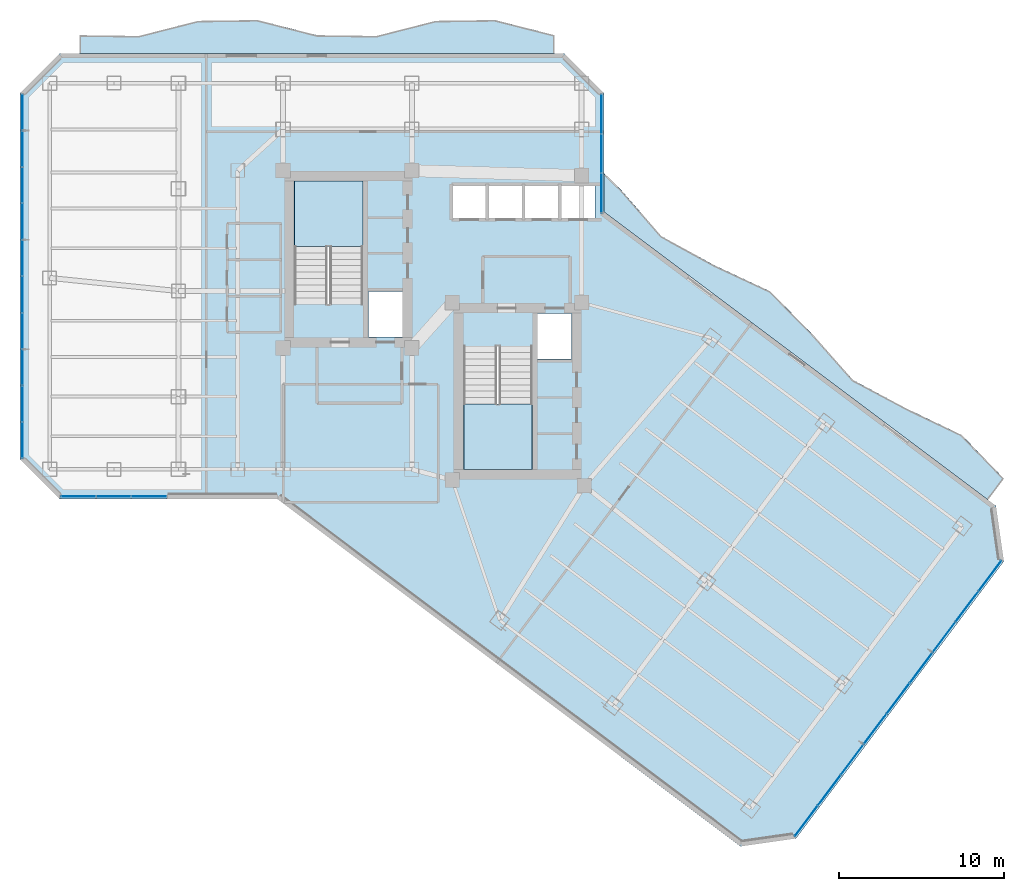
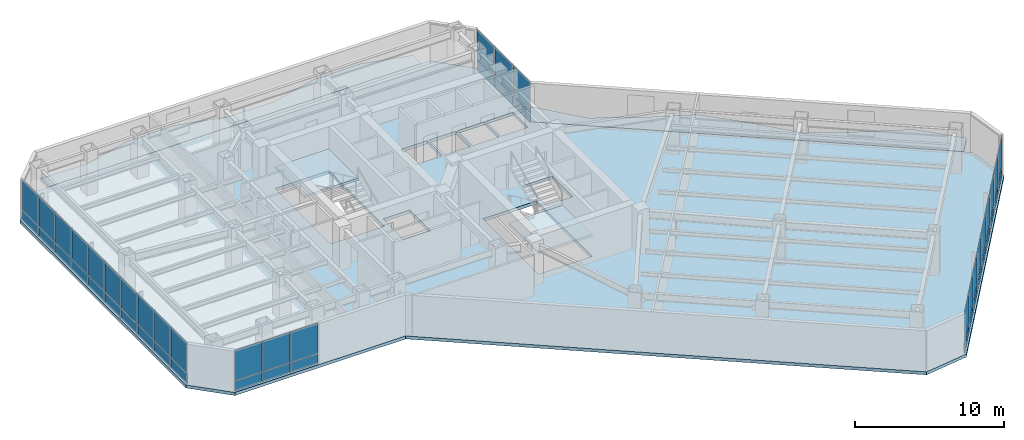
# One storey, part 20 of 29: 50 plates, 5 slabs, 6 elements without a shape of their own.
"""IFC4 building model written with IfcOpenShell, lengths in metres."""

import ifcopenshell
import ifcopenshell.guid

model = None  # the IFC model being written
_history = None  # IfcOwnerHistory: only IFC2X3 demands one
_inside = {}  # id of a spatial element -> (the spatial element, [elements in it])
_under = {}  # id of a project, library or spatial element -> (it, [spatial elements below it])
_declared = {}  # id of a project -> (the project, [libraries it declares])
_typed = {}  # id of a type object -> (the type object, [elements of that type])
_made_of = {}  # id of a material, layer set ... -> (it, [elements and type objects made of it])


def new_model(schema):
    """Start an empty IFC model of exactly this schema.

    Asked for "IFC4X3", IfcOpenShell would pick the latest addendum, in which some entities
    have other attributes; the version numbers below select the first issue.
    IFC2X3 requires an IfcOwnerHistory on every rooted entity: one is made here for all.
    """
    global model, _history
    if schema == "IFC4X3":
        model = ifcopenshell.file(schema_version=(4, 3, 0, 0))
    else:
        model = ifcopenshell.file(schema=schema)
    _inside.clear()
    _under.clear()
    _declared.clear()
    _typed.clear()
    _made_of.clear()
    _history = None
    if model.schema == "IFC2X3":
        org = make("IfcOrganization", Name="unknown")
        user = make(
            "IfcPersonAndOrganization",
            ThePerson=make("IfcPerson", FamilyName="unknown"),
            TheOrganization=org,
        )
        app = make(
            "IfcApplication",
            ApplicationDeveloper=org,
            Version="unknown",
            ApplicationFullName="unknown",
            ApplicationIdentifier="unknown",
        )
        _history = make(
            "IfcOwnerHistory",
            OwningUser=user,
            OwningApplication=app,
            ChangeAction="ADDED",
            CreationDate=0,
        )
    return model


def make(cls, **values):
    """One entity of the class cls with the attributes given. An attribute that is None is left unset."""
    return model.create_entity(
        cls, **{name: value for name, value in values.items() if value is not None}
    )


def rooted(cls, **values):
    """An entity with a GlobalId (a new one), such as an element, a storey or a relation."""
    return make(cls, GlobalId=ifcopenshell.guid.new(), OwnerHistory=_history, **values)


def si_unit(unit_type, name, prefix=None):
    """IfcSIUnit, for example si_unit("LENGTHUNIT", "METRE", prefix="MILLI")."""
    return make("IfcSIUnit", UnitType=unit_type, Prefix=prefix, Name=name)


def assignment(units):
    """IfcUnitAssignment: the units of a project."""
    return None if units is None else make("IfcUnitAssignment", Units=units)


def point(xyz):
    """IfcCartesianPoint."""
    return None if xyz is None else make("IfcCartesianPoint", Coordinates=xyz)


def direction(xyz):
    """IfcDirection."""
    return None if xyz is None else make("IfcDirection", DirectionRatios=xyz)


def frame(location, z_axis=None, x_axis=None):
    """IfcAxis2Placement3D, a coordinate frame: its origin and axes. An axis left out is left unset."""
    return make(
        "IfcAxis2Placement3D",
        Location=point(location),
        Axis=direction(z_axis),
        RefDirection=direction(x_axis),
    )


def frame_2d(location, x_axis=None):
    """IfcAxis2Placement2D, a coordinate frame in the plane: its origin and x axis."""
    return make(
        "IfcAxis2Placement2D", Location=point(location), RefDirection=direction(x_axis)
    )


def origin():
    """The frame at (0, 0, 0) with its axes left unset."""
    return frame((0.0, 0.0, 0.0))


def origin_2d():
    """The frame at (0, 0) in the plane with its x axis left unset."""
    return frame_2d((0.0, 0.0))


def place(relative_to, where):
    """IfcLocalPlacement: puts the frame where relative to a parent placement (None: the world)."""
    return make(
        "IfcLocalPlacement", PlacementRelTo=relative_to, RelativePlacement=where
    )


def context(
    kind, dimensions, precision=None, world=None, true_north=None, identifier=None
):
    """IfcGeometricRepresentationContext, for example the 3D "Model" context."""
    return make(
        "IfcGeometricRepresentationContext",
        ContextIdentifier=identifier,
        ContextType=kind,
        CoordinateSpaceDimension=dimensions,
        Precision=precision,
        WorldCoordinateSystem=world,
        TrueNorth=true_north,
    )


def subcontext(parent, identifier, kind, view, scale=None):
    """IfcGeometricRepresentationSubContext, for example "Body" below "Model"."""
    return make(
        "IfcGeometricRepresentationSubContext",
        ContextIdentifier=identifier,
        ContextType=kind,
        ParentContext=parent,
        TargetScale=scale,
        TargetView=view,
    )


def project(units=None, contexts=None):
    """IfcProject with its units and contexts."""
    return rooted(
        "IfcProject",
        Name="project",
        RepresentationContexts=contexts,
        UnitsInContext=assignment(units),
    )


def spatial(cls, under=None, at=None, **own):
    """A site, building, storey or space (cls), placed at a placement, below another one or the project."""
    s = rooted(cls, ObjectPlacement=at, **own)
    if under is not None:
        _under.setdefault(under.id(), (under, []))[1].append(s)
    return s


def polyline(points):
    """IfcPolyline through the points."""
    return make("IfcPolyline", Points=[point(p) for p in points])


def profile(cls, at=None, kind="AREA", **sizes):
    """A parametric profile (cls). Its sizes go by their IFC names, for example OverallWidth=200.0."""
    return make(cls, ProfileType=kind, Position=at, **sizes)


def rectangle(**sizes):
    """IfcRectangleProfileDef."""
    return profile("IfcRectangleProfileDef", **sizes)


def outline(outer, holes=None, kind="AREA"):
    """IfcArbitraryClosedProfileDef: a profile drawn as a closed curve; with holes, ...WithVoids."""
    if holes is None:
        return make("IfcArbitraryClosedProfileDef", ProfileType=kind, OuterCurve=outer)
    return make(
        "IfcArbitraryProfileDefWithVoids",
        ProfileType=kind,
        OuterCurve=outer,
        InnerCurves=holes,
    )


def extrude(swept, where, along, depth):
    """IfcExtrudedAreaSolid: the profile swept, set in the frame where, extruded along a direction by depth."""
    return make(
        "IfcExtrudedAreaSolid",
        SweptArea=swept,
        Position=where,
        ExtrudedDirection=direction(along),
        Depth=depth,
    )


def shape(context_of_items, identifier, shape_type, items):
    """IfcShapeRepresentation: the items that make up one representation, for example the "Body"."""
    return make(
        "IfcShapeRepresentation",
        ContextOfItems=context_of_items,
        RepresentationIdentifier=identifier,
        RepresentationType=shape_type,
        Items=items,
    )


def material(Name=None, Category=None):
    """IfcMaterial."""
    return make("IfcMaterial", Name=Name, Category=Category)


def layer(
    of_material, thickness, ventilated=None, Name=None, Category=None, Priority=None
):
    """IfcMaterialLayer: one layer of a wall or slab, of a material (None: an air gap)."""
    return make(
        "IfcMaterialLayer",
        Material=of_material,
        LayerThickness=thickness,
        IsVentilated=ventilated,
        Name=Name,
        Category=Category,
        Priority=Priority,
    )


def layer_set(layers, Name=None):
    """IfcMaterialLayerSet."""
    return make("IfcMaterialLayerSet", MaterialLayers=layers, LayerSetName=Name)


def made_of(thing, what):
    """Note that an element or type object is made of a material, layer set ...; save() writes the relation."""
    if what is not None:
        _made_of.setdefault(what.id(), (what, []))[1].append(thing)
    return thing


def type_object(cls, material=None, **own):
    """A type object (cls), such as IfcWallType, which elements share."""
    return made_of(rooted(cls, **own), material)


def element(
    cls,
    number,
    at=None,
    inside=None,
    cuts=None,
    type_object=None,
    material=None,
    context=None,
    identifier="Body",
    shape_type=None,
    held_by="IfcProductDefinitionShape",
    body=None,
    shapes=None,
    **own,
):
    """One element of the class cls, such as IfcWall. Its Tag is "e" and its number.

    at: its placement. inside: the storey or other place that contains it. cuts: it is an
    opening in that element (IfcRelVoidsElement). A single representation is given by context,
    identifier, shape_type and body (its items); several are given by shapes. held_by: the class
    of the entity that holds the representations. save() writes the other relations.
    """
    e = rooted(cls, Tag="e%d" % number, ObjectPlacement=at, **own)
    if body is not None:
        shapes = [shape(context, identifier, shape_type, body)]
    if shapes is not None:
        e.Representation = make(held_by, Representations=shapes)
    if inside is not None:
        _inside.setdefault(inside.id(), (inside, []))[1].append(e)
    if cuts is not None:
        rooted(
            "IfcRelVoidsElement", RelatingBuildingElement=cuts, RelatedOpeningElement=e
        )
    if type_object is not None:
        _typed.setdefault(type_object.id(), (type_object, []))[1].append(e)
    return made_of(e, material)


def aggregate(whole, parts):
    """IfcRelAggregates: a whole, such as a stair, and the parts it consists of."""
    return rooted("IfcRelAggregates", RelatingObject=whole, RelatedObjects=parts)


def save(model, path):
    """Write the relations noted so far, then the file.

    IfcRelAggregates (storeys below a building ...), IfcRelContainedInSpatialStructure (elements
    in a storey), IfcRelDefinesByType, IfcRelAssociatesMaterial and IfcRelDeclares: one each for
    every whole, place, type object, material and project.
    """
    for whole, parts in _under.values():
        aggregate(whole, parts)
    for where, things in _inside.values():
        rooted(
            "IfcRelContainedInSpatialStructure",
            RelatedElements=things,
            RelatingStructure=where,
        )
    for kind, things in _typed.values():
        rooted("IfcRelDefinesByType", RelatedObjects=things, RelatingType=kind)
    for what, things in _made_of.values():
        rooted("IfcRelAssociatesMaterial", RelatedObjects=things, RelatingMaterial=what)
    for by, libraries in _declared.values():
        rooted("IfcRelDeclares", RelatingContext=by, RelatedDefinitions=libraries)
    model.write(path)


model = new_model("IFC4")

# Units and contexts
model_context = context("Model", 3, precision=1e-05, world=origin(), true_north=direction((0.0, 1.0)))
body_context = subcontext(model_context, "Body", "Model", "MODEL_VIEW")
ifc_project = project(units=[si_unit("LENGTHUNIT", "METRE"), si_unit("AREAUNIT", "SQUARE_METRE"), si_unit("VOLUMEUNIT", "CUBIC_METRE"), si_unit("PLANEANGLEUNIT", "RADIAN"), si_unit("MASSUNIT", "GRAM", prefix="KILO")], contexts=[model_context])

# Site, building, storey
site_placement = place(None, origin())
site = spatial("IfcSite", under=ifc_project, at=site_placement, CompositionType="ELEMENT")
building_placement = place(site_placement, origin())
building = spatial("IfcBuilding", under=site, at=building_placement, Name="Hatsunagi Terrace Concourse", CompositionType="ELEMENT")
storey_placement = place(building_placement, frame((0.0, 0.0, 104.85009765625)))
storey = spatial("IfcBuildingStorey", under=building, at=storey_placement, Name="L27", CompositionType="ELEMENT", Elevation=104.85009765625)

# Curtain wall, plates
ifc_material_1 = material(Name="Anodised Aluminium Alloy 6063-T5", Category="aluminium")
ifc_layer_1 = layer(ifc_material_1, 0.199951171875)
ifc_layer_set_1 = layer_set([ifc_layer_1], Name="OfficeZone1_CW03")
curtain_wall_type = type_object("IfcCurtainWallType", Name="OfficeZone1_CW03", PredefinedType="NOTDEFINED", material=ifc_layer_set_1)
curtain_wall_1_placement = place(storey_placement, origin())
curtain_wall_1 = element("IfcCurtainWall", 1, at=curtain_wall_1_placement, inside=storey, type_object=curtain_wall_type, Name="Unitised Curtain Wall CW-03 CW-L27-03", PredefinedType="NOTDEFINED")
ifc_material_2 = material(Name="Warm Terracotta Ceramic Spandrel Panel", Category="masonry")
ifc_layer_2 = layer(ifc_material_2, 0.031982421875)
ifc_layer_set_2 = layer_set([ifc_layer_2], Name="CurtainWallSpandrelPanel_32")
plate_type_1 = type_object("IfcPlateType", Name="CurtainWallSpandrelPanel_32", PredefinedType="SHEET", material=ifc_layer_set_2)
plate_1_placement = place(storey_placement, frame((68.39697265625, 18.72998046875, 0.02978515625), z_axis=(0.0, 0.0, 1.0), x_axis=(-0.599969314634, -0.800023013105, 0.0)))
plate_1 = element("IfcPlate", 2, at=plate_1_placement, type_object=plate_type_1, Name="Terracotta Spandrel Panel SPN-01", PredefinedType="SHEET", context=body_context, shape_type="SweptSolid", body=[
    extrude(rectangle(XDim=2.264892578125, YDim=0.031982421875, at=origin_2d()), origin(), (0.0, 0.0, 1.0), 0.7900390625),
])
plate_2_placement = place(storey_placement, frame((67.0048828125, 16.873046875, 0.02978515625), z_axis=(0.0, 0.0, 1.0), x_axis=(-0.599969314634, -0.800023013105, 0.0)))
plate_2 = element("IfcPlate", 3, at=plate_2_placement, type_object=plate_type_1, Name="Terracotta Spandrel Panel SPN-01", PredefinedType="SHEET", context=body_context, shape_type="SweptSolid", body=[
    extrude(rectangle(XDim=2.264892578125, YDim=0.031982421875, at=origin_2d()), origin(), (0.0, 0.0, 1.0), 0.7900390625),
])
plate_3_placement = place(storey_placement, frame((65.612060546875, 15.01708984375, 0.02978515625), z_axis=(0.0, 0.0, 1.0), x_axis=(-0.599969314634, -0.800023013105, 0.0)))
plate_3 = element("IfcPlate", 4, at=plate_3_placement, type_object=plate_type_1, Name="Terracotta Spandrel Panel SPN-01", PredefinedType="SHEET", context=body_context, shape_type="SweptSolid", body=[
    extrude(rectangle(XDim=2.264892578125, YDim=0.031982421875, at=origin_2d()), origin(), (0.0, 0.0, 1.0), 0.7900390625),
])
plate_4_placement = place(storey_placement, frame((64.219970703125, 13.159912109375, 0.02978515625), z_axis=(0.0, 0.0, 1.0), x_axis=(-0.599969314634, -0.800023013105, 0.0)))
plate_4 = element("IfcPlate", 5, at=plate_4_placement, type_object=plate_type_1, Name="Terracotta Spandrel Panel SPN-01", PredefinedType="SHEET", context=body_context, shape_type="SweptSolid", body=[
    extrude(rectangle(XDim=2.264892578125, YDim=0.031982421875, at=origin_2d()), origin(), (0.0, 0.0, 1.0), 0.7900390625),
])
plate_5_placement = place(storey_placement, frame((62.827880859375, 11.303955078125, 0.02978515625), z_axis=(0.0, 0.0, 1.0), x_axis=(-0.599969314634, -0.800023013105, 0.0)))
plate_5 = element("IfcPlate", 6, at=plate_5_placement, type_object=plate_type_1, Name="Terracotta Spandrel Panel SPN-01", PredefinedType="SHEET", context=body_context, shape_type="SweptSolid", body=[
    extrude(rectangle(XDim=2.264892578125, YDim=0.031982421875, at=origin_2d()), origin(), (0.0, 0.0, 1.0), 0.7900390625),
])
plate_6_placement = place(storey_placement, frame((61.43603515625, 9.447998046875, 0.02978515625), z_axis=(0.0, 0.0, 1.0), x_axis=(-0.599969314634, -0.800023013105, 0.0)))
plate_6 = element("IfcPlate", 7, at=plate_6_placement, type_object=plate_type_1, Name="Terracotta Spandrel Panel SPN-01", PredefinedType="SHEET", context=body_context, shape_type="SweptSolid", body=[
    extrude(rectangle(XDim=2.264892578125, YDim=0.031982421875, at=origin_2d()), origin(), (0.0, 0.0, 1.0), 0.7900390625),
])
plate_7_placement = place(storey_placement, frame((60.0439453125, 7.591064453125, 0.02978515625), z_axis=(0.0, 0.0, 1.0), x_axis=(-0.599969314634, -0.800023013105, 0.0)))
plate_7 = element("IfcPlate", 8, at=plate_7_placement, type_object=plate_type_1, Name="Terracotta Spandrel Panel SPN-01", PredefinedType="SHEET", context=body_context, shape_type="SweptSolid", body=[
    extrude(rectangle(XDim=2.264892578125, YDim=0.031982421875, at=origin_2d()), origin(), (0.0, 0.0, 1.0), 0.7900390625),
])
plate_8_placement = place(storey_placement, frame((58.65087890625, 5.735107421875, 0.02978515625), z_axis=(0.0, 0.0, 1.0), x_axis=(-0.599969314634, -0.800023013105, 0.0)))
plate_8 = element("IfcPlate", 9, at=plate_8_placement, type_object=plate_type_1, Name="Terracotta Spandrel Panel SPN-01", PredefinedType="SHEET", context=body_context, shape_type="SweptSolid", body=[
    extrude(rectangle(XDim=2.264892578125, YDim=0.031982421875, at=origin_2d()), origin(), (0.0, 0.0, 1.0), 0.7900390625),
])
plate_9_placement = place(storey_placement, frame((57.259033203125, 3.8779296875, 0.02978515625), z_axis=(0.0, 0.0, 1.0), x_axis=(-0.599969314634, -0.800023013105, 0.0)))
plate_9 = element("IfcPlate", 10, at=plate_9_placement, type_object=plate_type_1, Name="Terracotta Spandrel Panel SPN-01", PredefinedType="SHEET", context=body_context, shape_type="SweptSolid", body=[
    extrude(rectangle(XDim=2.264892578125, YDim=0.031982421875, at=origin_2d()), origin(), (0.0, 0.0, 1.0), 0.7900390625),
])

curtain_wall_2_placement = place(storey_placement, origin())
curtain_wall_2 = element("IfcCurtainWall", 11, at=curtain_wall_2_placement, inside=storey, type_object=curtain_wall_type, Name="Unitised Curtain Wall CW-03 CW-L27-07", PredefinedType="NOTDEFINED")
plate_10_placement = place(storey_placement, frame((17.426025390625, 23.5400390625, 0.02978515625), z_axis=(0.0, 0.0, 1.0), x_axis=(-1.0, 0.0, 0.0)))
plate_10 = element("IfcPlate", 12, at=plate_10_placement, type_object=plate_type_1, Name="Terracotta Spandrel Panel SPN-01", PredefinedType="SHEET", context=body_context, shape_type="SweptSolid", body=[
    extrude(rectangle(XDim=2.092041015625, YDim=0.031982421875, at=origin_2d()), origin(), (0.0, 0.0, 1.0), 0.7900390625),
])
plate_11_placement = place(storey_placement, frame((15.279052734375, 23.5400390625, 0.02978515625), z_axis=(0.0, 0.0, 1.0), x_axis=(-1.0, 0.0, 0.0)))
plate_11 = element("IfcPlate", 13, at=plate_11_placement, type_object=plate_type_1, Name="Terracotta Spandrel Panel SPN-01", PredefinedType="SHEET", context=body_context, shape_type="SweptSolid", body=[
    extrude(rectangle(XDim=2.092041015625, YDim=0.031982421875, at=origin_2d()), origin(), (0.0, 0.0, 1.0), 0.7900390625),
])
plate_12_placement = place(storey_placement, frame((13.132080078125, 23.5400390625, 0.02978515625), z_axis=(0.0, 0.0, 1.0), x_axis=(-1.0, 0.0, 0.0)))
plate_12 = element("IfcPlate", 14, at=plate_12_placement, type_object=plate_type_1, Name="Terracotta Spandrel Panel SPN-01", PredefinedType="SHEET", context=body_context, shape_type="SweptSolid", body=[
    extrude(rectangle(XDim=2.092041015625, YDim=0.031982421875, at=origin_2d()), origin(), (0.0, 0.0, 1.0), 0.7900390625),
])

curtain_wall_3_placement = place(storey_placement, origin())
curtain_wall_3 = element("IfcCurtainWall", 15, at=curtain_wall_3_placement, inside=storey, type_object=curtain_wall_type, Name="Unitised Curtain Wall CW-03 CW-L27-09", PredefinedType="NOTDEFINED")
plate_13_placement = place(storey_placement, frame((9.739990234375, 26.9619140625, 0.02978515625), z_axis=(0.0, 0.0, 1.0), x_axis=(0.0, 1.0, 0.0)))
plate_13 = element("IfcPlate", 16, at=plate_13_placement, type_object=plate_type_1, Name="Terracotta Spandrel Panel SPN-01", PredefinedType="SHEET", context=body_context, shape_type="SweptSolid", body=[
    extrude(rectangle(XDim=2.153076171875, YDim=0.031982421875, at=origin_2d()), origin(), (0.0, 0.0, 1.0), 0.7900390625),
])
plate_14_placement = place(storey_placement, frame((9.739990234375, 29.1708984375, 0.02978515625), z_axis=(0.0, 0.0, 1.0), x_axis=(0.0, 1.0, 0.0)))
plate_14 = element("IfcPlate", 17, at=plate_14_placement, type_object=plate_type_1, Name="Terracotta Spandrel Panel SPN-01", PredefinedType="SHEET", context=body_context, shape_type="SweptSolid", body=[
    extrude(rectangle(XDim=2.153076171875, YDim=0.031982421875, at=origin_2d()), origin(), (0.0, 0.0, 1.0), 0.7900390625),
])
plate_15_placement = place(storey_placement, frame((9.739990234375, 31.37890625, 0.02978515625), z_axis=(0.0, 0.0, 1.0), x_axis=(0.0, 1.0, 0.0)))
plate_15 = element("IfcPlate", 18, at=plate_15_placement, type_object=plate_type_1, Name="Terracotta Spandrel Panel SPN-01", PredefinedType="SHEET", context=body_context, shape_type="SweptSolid", body=[
    extrude(rectangle(XDim=2.153076171875, YDim=0.031982421875, at=origin_2d()), origin(), (0.0, 0.0, 1.0), 0.7900390625),
])
plate_16_placement = place(storey_placement, frame((9.739990234375, 33.5869140625, 0.02978515625), z_axis=(0.0, 0.0, 1.0), x_axis=(0.0, 1.0, 0.0)))
plate_16 = element("IfcPlate", 19, at=plate_16_placement, type_object=plate_type_1, Name="Terracotta Spandrel Panel SPN-01", PredefinedType="SHEET", context=body_context, shape_type="SweptSolid", body=[
    extrude(rectangle(XDim=2.153076171875, YDim=0.031982421875, at=origin_2d()), origin(), (0.0, 0.0, 1.0), 0.7900390625),
])
plate_17_placement = place(storey_placement, frame((9.739990234375, 35.7958984375, 0.02978515625), z_axis=(0.0, 0.0, 1.0), x_axis=(0.0, 1.0, 0.0)))
plate_17 = element("IfcPlate", 20, at=plate_17_placement, type_object=plate_type_1, Name="Terracotta Spandrel Panel SPN-01", PredefinedType="SHEET", context=body_context, shape_type="SweptSolid", body=[
    extrude(rectangle(XDim=2.153076171875, YDim=0.031982421875, at=origin_2d()), origin(), (0.0, 0.0, 1.0), 0.7900390625),
])
plate_18_placement = place(storey_placement, frame((9.739990234375, 38.00390625, 0.02978515625), z_axis=(0.0, 0.0, 1.0), x_axis=(0.0, 1.0, 0.0)))
plate_18 = element("IfcPlate", 21, at=plate_18_placement, type_object=plate_type_1, Name="Terracotta Spandrel Panel SPN-01", PredefinedType="SHEET", context=body_context, shape_type="SweptSolid", body=[
    extrude(rectangle(XDim=2.153076171875, YDim=0.031982421875, at=origin_2d()), origin(), (0.0, 0.0, 1.0), 0.7900390625),
])
plate_19_placement = place(storey_placement, frame((9.739990234375, 40.212890625, 0.02978515625), z_axis=(0.0, 0.0, 1.0), x_axis=(0.0, 1.0, 0.0)))
plate_19 = element("IfcPlate", 22, at=plate_19_placement, type_object=plate_type_1, Name="Terracotta Spandrel Panel SPN-01", PredefinedType="SHEET", context=body_context, shape_type="SweptSolid", body=[
    extrude(rectangle(XDim=2.153076171875, YDim=0.031982421875, at=origin_2d()), origin(), (0.0, 0.0, 1.0), 0.7900390625),
])
plate_20_placement = place(storey_placement, frame((9.739990234375, 42.4208984375, 0.02978515625), z_axis=(0.0, 0.0, 1.0), x_axis=(0.0, 1.0, 0.0)))
plate_20 = element("IfcPlate", 23, at=plate_20_placement, type_object=plate_type_1, Name="Terracotta Spandrel Panel SPN-01", PredefinedType="SHEET", context=body_context, shape_type="SweptSolid", body=[
    extrude(rectangle(XDim=2.153076171875, YDim=0.031982421875, at=origin_2d()), origin(), (0.0, 0.0, 1.0), 0.7900390625),
])
plate_21_placement = place(storey_placement, frame((9.739990234375, 44.62890625, 0.02978515625), z_axis=(0.0, 0.0, 1.0), x_axis=(0.0, 1.0, 0.0)))
plate_21 = element("IfcPlate", 24, at=plate_21_placement, type_object=plate_type_1, Name="Terracotta Spandrel Panel SPN-01", PredefinedType="SHEET", context=body_context, shape_type="SweptSolid", body=[
    extrude(rectangle(XDim=2.153076171875, YDim=0.031982421875, at=origin_2d()), origin(), (0.0, 0.0, 1.0), 0.7900390625),
])
plate_22_placement = place(storey_placement, frame((9.739990234375, 46.837890625, 0.02978515625), z_axis=(0.0, 0.0, 1.0), x_axis=(0.0, 1.0, 0.0)))
plate_22 = element("IfcPlate", 25, at=plate_22_placement, type_object=plate_type_1, Name="Terracotta Spandrel Panel SPN-01", PredefinedType="SHEET", context=body_context, shape_type="SweptSolid", body=[
    extrude(rectangle(XDim=2.153076171875, YDim=0.031982421875, at=origin_2d()), origin(), (0.0, 0.0, 1.0), 0.7900390625),
])

curtain_wall_4_placement = place(storey_placement, origin())
curtain_wall_4 = element("IfcCurtainWall", 26, at=curtain_wall_4_placement, inside=storey, type_object=curtain_wall_type, Name="Unitised Curtain Wall CW-03 CW-L27-13", PredefinedType="NOTDEFINED")
plate_23_placement = place(storey_placement, frame((44.860107421875, 46.739990234375, 0.02978515625), z_axis=(0.0, 0.0, 1.0), x_axis=(0.0, -1.0, 0.0)))
plate_23 = element("IfcPlate", 27, at=plate_23_placement, type_object=plate_type_1, Name="Terracotta Spandrel Panel SPN-01", PredefinedType="SHEET", context=body_context, shape_type="SweptSolid", body=[
    extrude(rectangle(XDim=2.34912109375, YDim=0.031982421875, at=origin_2d()), origin(), (0.0, 0.0, 1.0), 0.7900390625),
])
plate_24_placement = place(storey_placement, frame((44.860107421875, 44.3359375, 0.02978515625), z_axis=(0.0, 0.0, 1.0), x_axis=(0.0, -1.0, 0.0)))
plate_24 = element("IfcPlate", 28, at=plate_24_placement, type_object=plate_type_1, Name="Terracotta Spandrel Panel SPN-01", PredefinedType="SHEET", context=body_context, shape_type="SweptSolid", body=[
    extrude(rectangle(XDim=2.34912109375, YDim=0.031982421875, at=origin_2d()), origin(), (0.0, 0.0, 1.0), 0.7900390625),
])
plate_25_placement = place(storey_placement, frame((44.860107421875, 41.931884765625, 0.02978515625), z_axis=(0.0, 0.0, 1.0), x_axis=(0.0, -1.0, 0.0)))
plate_25 = element("IfcPlate", 29, at=plate_25_placement, type_object=plate_type_1, Name="Terracotta Spandrel Panel SPN-01", PredefinedType="SHEET", context=body_context, shape_type="SweptSolid", body=[
    extrude(rectangle(XDim=2.34912109375, YDim=0.031982421875, at=origin_2d()), origin(), (0.0, 0.0, 1.0), 0.7900390625),
])

# Plate
ifc_material_3 = material(Name="Low-E Double Insulating Glass 28mm", Category="glass")
ifc_layer_3 = layer(ifc_material_3, 0.028076171875)
ifc_layer_set_3 = layer_set([ifc_layer_3], Name="CurtainWallVisionGlass_28")
plate_type_2 = type_object("IfcPlateType", Name="CurtainWallVisionGlass_28", PredefinedType="CURTAIN_PANEL", material=ifc_layer_set_3)
plate_26_placement = place(storey_placement, frame((68.39697265625, 18.72998046875, 0.8798828125), z_axis=(0.0, 0.0, 1.0), x_axis=(-0.599969314634, -0.800023013105, 0.0)))
plate_26 = element("IfcPlate", 30, at=plate_26_placement, type_object=plate_type_2, Name="Low-E Vision Glass Panel GLZ-01", PredefinedType="CURTAIN_PANEL", context=body_context, shape_type="SweptSolid", body=[
    extrude(rectangle(XDim=2.264892578125, YDim=0.028076171875, at=origin_2d()), origin(), (0.0, 0.0, 1.0), 2.43994140625),
])

plate_27_placement = place(storey_placement, frame((67.0048828125, 16.873046875, 0.8798828125), z_axis=(0.0, 0.0, 1.0), x_axis=(-0.599969314634, -0.800023013105, 0.0)))
plate_27 = element("IfcPlate", 31, at=plate_27_placement, type_object=plate_type_2, Name="Low-E Vision Glass Panel GLZ-01", PredefinedType="CURTAIN_PANEL", context=body_context, shape_type="SweptSolid", body=[
    extrude(rectangle(XDim=2.264892578125, YDim=0.028076171875, at=origin_2d()), origin(), (0.0, 0.0, 1.0), 2.43994140625),
])

plate_28_placement = place(storey_placement, frame((65.612060546875, 15.01708984375, 0.8798828125), z_axis=(0.0, 0.0, 1.0), x_axis=(-0.599969314634, -0.800023013105, 0.0)))
plate_28 = element("IfcPlate", 32, at=plate_28_placement, type_object=plate_type_2, Name="Low-E Vision Glass Panel GLZ-01", PredefinedType="CURTAIN_PANEL", context=body_context, shape_type="SweptSolid", body=[
    extrude(rectangle(XDim=2.264892578125, YDim=0.028076171875, at=origin_2d()), origin(), (0.0, 0.0, 1.0), 2.43994140625),
])

plate_29_placement = place(storey_placement, frame((64.219970703125, 13.159912109375, 0.8798828125), z_axis=(0.0, 0.0, 1.0), x_axis=(-0.599969314634, -0.800023013105, 0.0)))
plate_29 = element("IfcPlate", 33, at=plate_29_placement, type_object=plate_type_2, Name="Low-E Vision Glass Panel GLZ-01", PredefinedType="CURTAIN_PANEL", context=body_context, shape_type="SweptSolid", body=[
    extrude(rectangle(XDim=2.264892578125, YDim=0.028076171875, at=origin_2d()), origin(), (0.0, 0.0, 1.0), 2.43994140625),
])

plate_30_placement = place(storey_placement, frame((62.827880859375, 11.303955078125, 0.8798828125), z_axis=(0.0, 0.0, 1.0), x_axis=(-0.599969314634, -0.800023013105, 0.0)))
plate_30 = element("IfcPlate", 34, at=plate_30_placement, type_object=plate_type_2, Name="Low-E Vision Glass Panel GLZ-01", PredefinedType="CURTAIN_PANEL", context=body_context, shape_type="SweptSolid", body=[
    extrude(rectangle(XDim=2.264892578125, YDim=0.028076171875, at=origin_2d()), origin(), (0.0, 0.0, 1.0), 2.43994140625),
])

plate_31_placement = place(storey_placement, frame((61.43603515625, 9.447998046875, 0.8798828125), z_axis=(0.0, 0.0, 1.0), x_axis=(-0.599969314634, -0.800023013105, 0.0)))
plate_31 = element("IfcPlate", 35, at=plate_31_placement, type_object=plate_type_2, Name="Low-E Vision Glass Panel GLZ-01", PredefinedType="CURTAIN_PANEL", context=body_context, shape_type="SweptSolid", body=[
    extrude(rectangle(XDim=2.264892578125, YDim=0.028076171875, at=origin_2d()), origin(), (0.0, 0.0, 1.0), 2.43994140625),
])

plate_32_placement = place(storey_placement, frame((60.0439453125, 7.591064453125, 0.8798828125), z_axis=(0.0, 0.0, 1.0), x_axis=(-0.599969314634, -0.800023013105, 0.0)))
plate_32 = element("IfcPlate", 36, at=plate_32_placement, type_object=plate_type_2, Name="Low-E Vision Glass Panel GLZ-01", PredefinedType="CURTAIN_PANEL", context=body_context, shape_type="SweptSolid", body=[
    extrude(rectangle(XDim=2.264892578125, YDim=0.028076171875, at=origin_2d()), origin(), (0.0, 0.0, 1.0), 2.43994140625),
])

plate_33_placement = place(storey_placement, frame((58.65087890625, 5.735107421875, 0.8798828125), z_axis=(0.0, 0.0, 1.0), x_axis=(-0.599969314634, -0.800023013105, 0.0)))
plate_33 = element("IfcPlate", 37, at=plate_33_placement, type_object=plate_type_2, Name="Low-E Vision Glass Panel GLZ-01", PredefinedType="CURTAIN_PANEL", context=body_context, shape_type="SweptSolid", body=[
    extrude(rectangle(XDim=2.264892578125, YDim=0.028076171875, at=origin_2d()), origin(), (0.0, 0.0, 1.0), 2.43994140625),
])

plate_34_placement = place(storey_placement, frame((57.259033203125, 3.8779296875, 0.8798828125), z_axis=(0.0, 0.0, 1.0), x_axis=(-0.599969314634, -0.800023013105, 0.0)))
plate_34 = element("IfcPlate", 38, at=plate_34_placement, type_object=plate_type_2, Name="Low-E Vision Glass Panel GLZ-01", PredefinedType="CURTAIN_PANEL", context=body_context, shape_type="SweptSolid", body=[
    extrude(rectangle(XDim=2.264892578125, YDim=0.028076171875, at=origin_2d()), origin(), (0.0, 0.0, 1.0), 2.43994140625),
])

aggregate(curtain_wall_1, [plate_1, plate_26, plate_2, plate_27, plate_3, plate_28, plate_4, plate_29, plate_5, plate_30, plate_6, plate_31, plate_7, plate_32, plate_8, plate_33, plate_9, plate_34])

plate_35_placement = place(storey_placement, frame((17.426025390625, 23.5400390625, 0.8798828125), z_axis=(0.0, 0.0, 1.0), x_axis=(-1.0, 0.0, 0.0)))
plate_35 = element("IfcPlate", 39, at=plate_35_placement, type_object=plate_type_2, Name="Low-E Vision Glass Panel GLZ-01", PredefinedType="CURTAIN_PANEL", context=body_context, shape_type="SweptSolid", body=[
    extrude(rectangle(XDim=2.092041015625, YDim=0.028076171875, at=origin_2d()), origin(), (0.0, 0.0, 1.0), 2.43994140625),
])

plate_36_placement = place(storey_placement, frame((15.279052734375, 23.5400390625, 0.8798828125), z_axis=(0.0, 0.0, 1.0), x_axis=(-1.0, 0.0, 0.0)))
plate_36 = element("IfcPlate", 40, at=plate_36_placement, type_object=plate_type_2, Name="Low-E Vision Glass Panel GLZ-01", PredefinedType="CURTAIN_PANEL", context=body_context, shape_type="SweptSolid", body=[
    extrude(rectangle(XDim=2.092041015625, YDim=0.028076171875, at=origin_2d()), origin(), (0.0, 0.0, 1.0), 2.43994140625),
])

plate_37_placement = place(storey_placement, frame((13.132080078125, 23.5400390625, 0.8798828125), z_axis=(0.0, 0.0, 1.0), x_axis=(-1.0, 0.0, 0.0)))
plate_37 = element("IfcPlate", 41, at=plate_37_placement, type_object=plate_type_2, Name="Low-E Vision Glass Panel GLZ-01", PredefinedType="CURTAIN_PANEL", context=body_context, shape_type="SweptSolid", body=[
    extrude(rectangle(XDim=2.092041015625, YDim=0.028076171875, at=origin_2d()), origin(), (0.0, 0.0, 1.0), 2.43994140625),
])

aggregate(curtain_wall_2, [plate_10, plate_35, plate_11, plate_36, plate_12, plate_37])

plate_38_placement = place(storey_placement, frame((9.739990234375, 26.9619140625, 0.8798828125), z_axis=(0.0, 0.0, 1.0), x_axis=(0.0, 1.0, 0.0)))
plate_38 = element("IfcPlate", 42, at=plate_38_placement, type_object=plate_type_2, Name="Low-E Vision Glass Panel GLZ-01", PredefinedType="CURTAIN_PANEL", context=body_context, shape_type="SweptSolid", body=[
    extrude(rectangle(XDim=2.153076171875, YDim=0.028076171875, at=origin_2d()), origin(), (0.0, 0.0, 1.0), 2.43994140625),
])

plate_39_placement = place(storey_placement, frame((9.739990234375, 29.1708984375, 0.8798828125), z_axis=(0.0, 0.0, 1.0), x_axis=(0.0, 1.0, 0.0)))
plate_39 = element("IfcPlate", 43, at=plate_39_placement, type_object=plate_type_2, Name="Low-E Vision Glass Panel GLZ-01", PredefinedType="CURTAIN_PANEL", context=body_context, shape_type="SweptSolid", body=[
    extrude(rectangle(XDim=2.153076171875, YDim=0.028076171875, at=origin_2d()), origin(), (0.0, 0.0, 1.0), 2.43994140625),
])

plate_40_placement = place(storey_placement, frame((9.739990234375, 31.37890625, 0.8798828125), z_axis=(0.0, 0.0, 1.0), x_axis=(0.0, 1.0, 0.0)))
plate_40 = element("IfcPlate", 44, at=plate_40_placement, type_object=plate_type_2, Name="Low-E Vision Glass Panel GLZ-01", PredefinedType="CURTAIN_PANEL", context=body_context, shape_type="SweptSolid", body=[
    extrude(rectangle(XDim=2.153076171875, YDim=0.028076171875, at=origin_2d()), origin(), (0.0, 0.0, 1.0), 2.43994140625),
])

plate_41_placement = place(storey_placement, frame((9.739990234375, 33.5869140625, 0.8798828125), z_axis=(0.0, 0.0, 1.0), x_axis=(0.0, 1.0, 0.0)))
plate_41 = element("IfcPlate", 45, at=plate_41_placement, type_object=plate_type_2, Name="Low-E Vision Glass Panel GLZ-01", PredefinedType="CURTAIN_PANEL", context=body_context, shape_type="SweptSolid", body=[
    extrude(rectangle(XDim=2.153076171875, YDim=0.028076171875, at=origin_2d()), origin(), (0.0, 0.0, 1.0), 2.43994140625),
])

plate_42_placement = place(storey_placement, frame((9.739990234375, 35.7958984375, 0.8798828125), z_axis=(0.0, 0.0, 1.0), x_axis=(0.0, 1.0, 0.0)))
plate_42 = element("IfcPlate", 46, at=plate_42_placement, type_object=plate_type_2, Name="Low-E Vision Glass Panel GLZ-01", PredefinedType="CURTAIN_PANEL", context=body_context, shape_type="SweptSolid", body=[
    extrude(rectangle(XDim=2.153076171875, YDim=0.028076171875, at=origin_2d()), origin(), (0.0, 0.0, 1.0), 2.43994140625),
])

plate_43_placement = place(storey_placement, frame((9.739990234375, 38.00390625, 0.8798828125), z_axis=(0.0, 0.0, 1.0), x_axis=(0.0, 1.0, 0.0)))
plate_43 = element("IfcPlate", 47, at=plate_43_placement, type_object=plate_type_2, Name="Low-E Vision Glass Panel GLZ-01", PredefinedType="CURTAIN_PANEL", context=body_context, shape_type="SweptSolid", body=[
    extrude(rectangle(XDim=2.153076171875, YDim=0.028076171875, at=origin_2d()), origin(), (0.0, 0.0, 1.0), 2.43994140625),
])

plate_44_placement = place(storey_placement, frame((9.739990234375, 40.212890625, 0.8798828125), z_axis=(0.0, 0.0, 1.0), x_axis=(0.0, 1.0, 0.0)))
plate_44 = element("IfcPlate", 48, at=plate_44_placement, type_object=plate_type_2, Name="Low-E Vision Glass Panel GLZ-01", PredefinedType="CURTAIN_PANEL", context=body_context, shape_type="SweptSolid", body=[
    extrude(rectangle(XDim=2.153076171875, YDim=0.028076171875, at=origin_2d()), origin(), (0.0, 0.0, 1.0), 2.43994140625),
])

plate_45_placement = place(storey_placement, frame((9.739990234375, 42.4208984375, 0.8798828125), z_axis=(0.0, 0.0, 1.0), x_axis=(0.0, 1.0, 0.0)))
plate_45 = element("IfcPlate", 49, at=plate_45_placement, type_object=plate_type_2, Name="Low-E Vision Glass Panel GLZ-01", PredefinedType="CURTAIN_PANEL", context=body_context, shape_type="SweptSolid", body=[
    extrude(rectangle(XDim=2.153076171875, YDim=0.028076171875, at=origin_2d()), origin(), (0.0, 0.0, 1.0), 2.43994140625),
])

plate_46_placement = place(storey_placement, frame((9.739990234375, 44.62890625, 0.8798828125), z_axis=(0.0, 0.0, 1.0), x_axis=(0.0, 1.0, 0.0)))
plate_46 = element("IfcPlate", 50, at=plate_46_placement, type_object=plate_type_2, Name="Low-E Vision Glass Panel GLZ-01", PredefinedType="CURTAIN_PANEL", context=body_context, shape_type="SweptSolid", body=[
    extrude(rectangle(XDim=2.153076171875, YDim=0.028076171875, at=origin_2d()), origin(), (0.0, 0.0, 1.0), 2.43994140625),
])

plate_47_placement = place(storey_placement, frame((9.739990234375, 46.837890625, 0.8798828125), z_axis=(0.0, 0.0, 1.0), x_axis=(0.0, 1.0, 0.0)))
plate_47 = element("IfcPlate", 51, at=plate_47_placement, type_object=plate_type_2, Name="Low-E Vision Glass Panel GLZ-01", PredefinedType="CURTAIN_PANEL", context=body_context, shape_type="SweptSolid", body=[
    extrude(rectangle(XDim=2.153076171875, YDim=0.028076171875, at=origin_2d()), origin(), (0.0, 0.0, 1.0), 2.43994140625),
])

aggregate(curtain_wall_3, [plate_13, plate_38, plate_14, plate_39, plate_15, plate_40, plate_16, plate_41, plate_17, plate_42, plate_18, plate_43, plate_19, plate_44, plate_20, plate_45, plate_21, plate_46, plate_22, plate_47])

plate_48_placement = place(storey_placement, frame((44.860107421875, 46.739990234375, 0.8798828125), z_axis=(0.0, 0.0, 1.0), x_axis=(0.0, -1.0, 0.0)))
plate_48 = element("IfcPlate", 52, at=plate_48_placement, type_object=plate_type_2, Name="Low-E Vision Glass Panel GLZ-01", PredefinedType="CURTAIN_PANEL", context=body_context, shape_type="SweptSolid", body=[
    extrude(rectangle(XDim=2.34912109375, YDim=0.028076171875, at=origin_2d()), origin(), (0.0, 0.0, 1.0), 2.43994140625),
])

plate_49_placement = place(storey_placement, frame((44.860107421875, 44.3359375, 0.8798828125), z_axis=(0.0, 0.0, 1.0), x_axis=(0.0, -1.0, 0.0)))
plate_49 = element("IfcPlate", 53, at=plate_49_placement, type_object=plate_type_2, Name="Low-E Vision Glass Panel GLZ-01", PredefinedType="CURTAIN_PANEL", context=body_context, shape_type="SweptSolid", body=[
    extrude(rectangle(XDim=2.34912109375, YDim=0.028076171875, at=origin_2d()), origin(), (0.0, 0.0, 1.0), 2.43994140625),
])

plate_50_placement = place(storey_placement, frame((44.860107421875, 41.931884765625, 0.8798828125), z_axis=(0.0, 0.0, 1.0), x_axis=(0.0, -1.0, 0.0)))
plate_50 = element("IfcPlate", 54, at=plate_50_placement, type_object=plate_type_2, Name="Low-E Vision Glass Panel GLZ-01", PredefinedType="CURTAIN_PANEL", context=body_context, shape_type="SweptSolid", body=[
    extrude(rectangle(XDim=2.34912109375, YDim=0.028076171875, at=origin_2d()), origin(), (0.0, 0.0, 1.0), 2.43994140625),
])

aggregate(curtain_wall_4, [plate_23, plate_48, plate_24, plate_49, plate_25, plate_50])

# Stair, slab
ifc_material_4 = material(Name="Concrete Fc42", Category="concrete")
stair_type = type_object("IfcStairType", Name="DoglegExitStair_Tower2000_20R_180", PredefinedType="HALF_TURN_STAIR", material=ifc_material_4)
stair_1_placement = place(storey_placement, origin())
stair_1 = element("IfcStair", 55, at=stair_1_placement, inside=storey, type_object=stair_type, Name="L27 Core A Protected Exit Stair ST-A", PredefinedType="HALF_TURN_STAIR")
ifc_material_5 = material(Name="Concrete Fc42", Category="concrete")
ifc_layer_4 = layer(ifc_material_5, 0.199951171875)
ifc_layer_set_4 = layer_set([ifc_layer_4], Name="DoglegStairLanding_Tower2000")
slab_type_1 = type_object("IfcSlabType", Name="DoglegStairLanding_Tower2000", PredefinedType="LANDING", material=ifc_layer_set_4)
slab_1_placement = place(storey_placement, frame((0.0, 0.0, 1.599853515625)))
slab_1 = element("IfcSlab", 56, at=slab_1_placement, type_object=slab_type_1, Name="ST-A landing 1", PredefinedType="LANDING", context=body_context, shape_type="SweptSolid", body=[
    extrude(outline(polyline([(30.3798828125, 38.7099609375), (30.3798828125, 42.659912109375), (26.22998046875, 42.659912109375), (26.22998046875, 38.7099609375), (30.3798828125, 38.7099609375)])), origin(), (0.0, 0.0, 1.0), 0.199951171875),
])
aggregate(stair_1, [slab_1])

stair_2_placement = place(storey_placement, origin())
stair_2 = element("IfcStair", 57, at=stair_2_placement, inside=storey, type_object=stair_type, Name="L27 Core B Protected Exit Stair ST-B", PredefinedType="HALF_TURN_STAIR")
slab_2_placement = place(storey_placement, frame((0.0, 0.0, 1.599853515625)))
slab_2 = element("IfcSlab", 58, at=slab_2_placement, type_object=slab_type_1, Name="ST-B landing 1", PredefinedType="LANDING", context=body_context, shape_type="SweptSolid", body=[
    extrude(outline(polyline([(36.5, 29.14990234375), (36.5, 25.199951171875), (40.64990234375, 25.199951171875), (40.64990234375, 29.14990234375), (36.5, 29.14990234375)])), origin(), (0.0, 0.0, 1.0), 0.199951171875),
])
aggregate(stair_2, [slab_2])

# Slabs
ifc_material_6 = material(Name="Concrete Fc42", Category="concrete")
ifc_layer_5 = layer(ifc_material_6, 0.199951171875)
ifc_layer_set_5 = layer_set([ifc_layer_5], Name="EngawaBalconySlab_Fc42_200")
slab_type_2 = type_object("IfcSlabType", Name="EngawaBalconySlab_Fc42_200", PredefinedType="FLOOR", material=ifc_layer_set_5)
slab_3_placement = place(storey_placement, frame((0.0, 0.0, -0.2001953125)))
element("IfcSlab", 59, at=slab_3_placement, inside=storey, type_object=slab_type_2, Name="Engawa Balcony Slab BAL-L27-BN", PredefinedType="FLOOR", context=body_context, shape_type="SweptSolid", body=[
    extrude(outline(polyline([(13.199951171875, 51.514892578125), (13.199951171875, 50.39990234375), (42.0, 50.39990234375), (42.0, 51.514892578125), (38.39990234375, 52.43310546875), (34.800048828125, 52.385009765625), (31.199951171875, 51.467041015625), (27.60009765625, 51.514892578125), (24.0, 52.43310546875), (20.39990234375, 52.385009765625), (16.800048828125, 51.467041015625), (13.199951171875, 51.514892578125)])), origin(), (0.0, 0.0, 1.0), 0.2001953125),
])
slab_4_placement = place(storey_placement, frame((0.0, 0.0, -0.2001953125)))
element("IfcSlab", 60, at=slab_4_placement, inside=storey, type_object=slab_type_2, Name="Engawa Balcony Slab BAL-L27-BSE", PredefinedType="FLOOR", context=body_context, shape_type="SweptSolid", body=[
    extrude(outline(polyline([(46.0390625, 42.1298828125), (44.99609375, 43.159912109375), (44.99609375, 40.802978515625), (68.280029296875, 23.340087890625), (69.2470703125, 24.6298828125), (66.69091796875, 27.277099609375), (63.347900390625, 28.875), (60.10400390625, 30.60498046875), (57.64306640625, 33.3798828125), (55.06103515625, 35.992919921875), (51.698974609375, 37.56494140625), (48.48095703125, 39.330078125), (46.0390625, 42.1298828125)])), origin(), (0.0, 0.0, 1.0), 0.2001953125),
])
ifc_material_7 = material(Name="Concrete Fc42", Category="concrete")
ifc_layer_6 = layer(ifc_material_7, 0.25)
ifc_layer_set_6 = layer_set([ifc_layer_6], Name="OfficeCrownSlab_Fc42_250")
slab_type_3 = type_object("IfcSlabType", Name="OfficeCrownSlab_Fc42_250", PredefinedType="FLOOR", material=ifc_layer_set_6)
slab_5_placement = place(storey_placement, frame((0.0, 0.0, -0.25)))
element("IfcSlab", 61, at=slab_5_placement, inside=storey, type_object=slab_type_3, Name="Floor Slab SL-250 L27", PredefinedType="FLOOR", context=body_context, shape_type="SweptSolid", body=[
    extrude(outline(polyline([(45.0, 40.800048828125), (45.0, 48.0), (42.60009765625, 50.39990234375), (12.0, 50.39990234375), (9.60009765625, 48.0), (9.60009765625, 25.800048828125), (12.0, 23.39990234375), (25.199951171875, 23.39990234375), (53.280029296875, 2.340087890625), (56.639892578125, 2.820068359375), (69.239990234375, 19.6201171875), (68.760009765625, 22.97998046875), (45.0, 40.800048828125)]), holes=[polyline([(26.22998046875, 35.205078125), (30.3798828125, 35.205078125), (30.3798828125, 42.659912109375), (26.22998046875, 42.659912109375), (26.22998046875, 35.205078125)]), polyline([(36.5, 25.199951171875), (40.64990234375, 25.199951171875), (40.64990234375, 32.655029296875), (36.5, 32.655029296875), (36.5, 25.199951171875)]), polyline([(30.719970703125, 33.219970703125), (32.780029296875, 33.219970703125), (32.780029296875, 35.97998046875), (30.719970703125, 35.97998046875), (30.719970703125, 33.219970703125)]), polyline([(40.97998046875, 31.8798828125), (43.02001953125, 31.8798828125), (43.02001953125, 34.639892578125), (40.97998046875, 34.639892578125), (40.97998046875, 31.8798828125)]), polyline([(35.800048828125, 40.39990234375), (37.85009765625, 40.39990234375), (37.85009765625, 42.39990234375), (35.800048828125, 42.39990234375), (35.800048828125, 40.39990234375)]), polyline([(38.0, 40.39990234375), (40.050048828125, 40.39990234375), (40.050048828125, 42.39990234375), (38.0, 42.39990234375), (38.0, 40.39990234375)]), polyline([(40.199951171875, 40.39990234375), (42.25, 40.39990234375), (42.25, 42.39990234375), (40.199951171875, 42.39990234375), (40.199951171875, 40.39990234375)]), polyline([(42.39990234375, 40.39990234375), (44.449951171875, 40.39990234375), (44.449951171875, 42.39990234375), (42.39990234375, 42.39990234375), (42.39990234375, 40.39990234375)])]), origin(), (0.0, 0.0, 1.0), 0.25),
])

save(model, "model.ifc")
